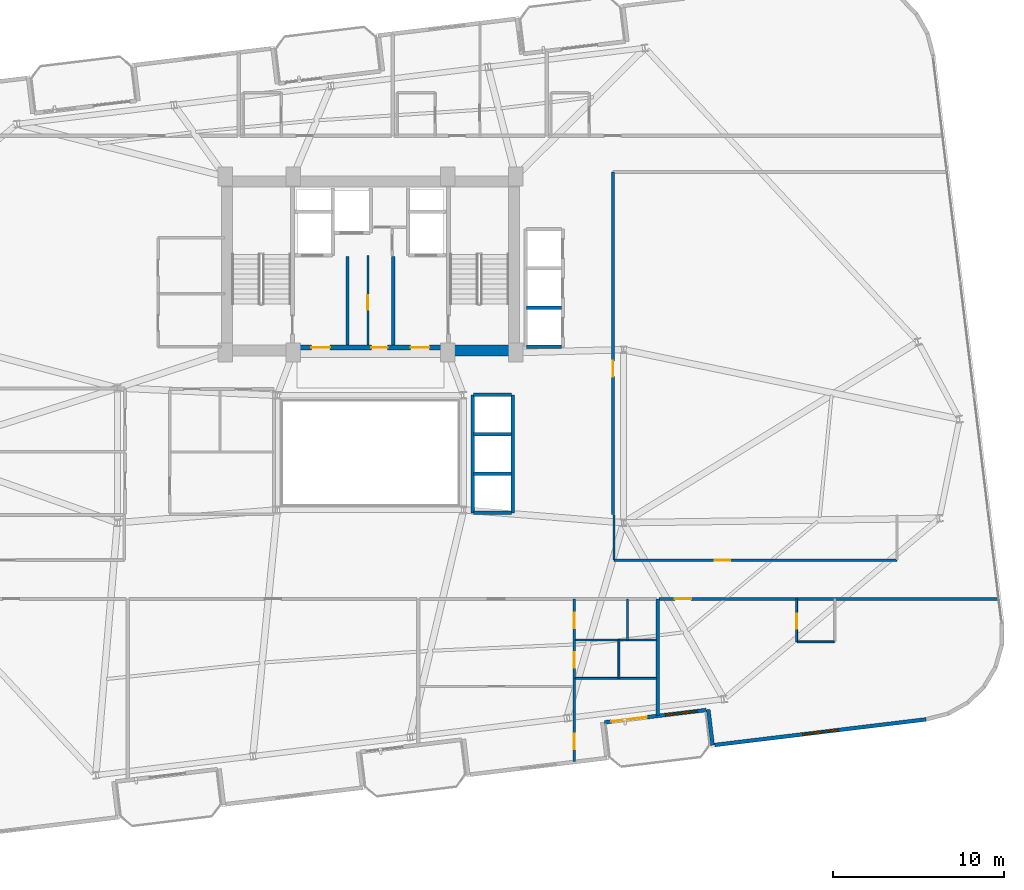
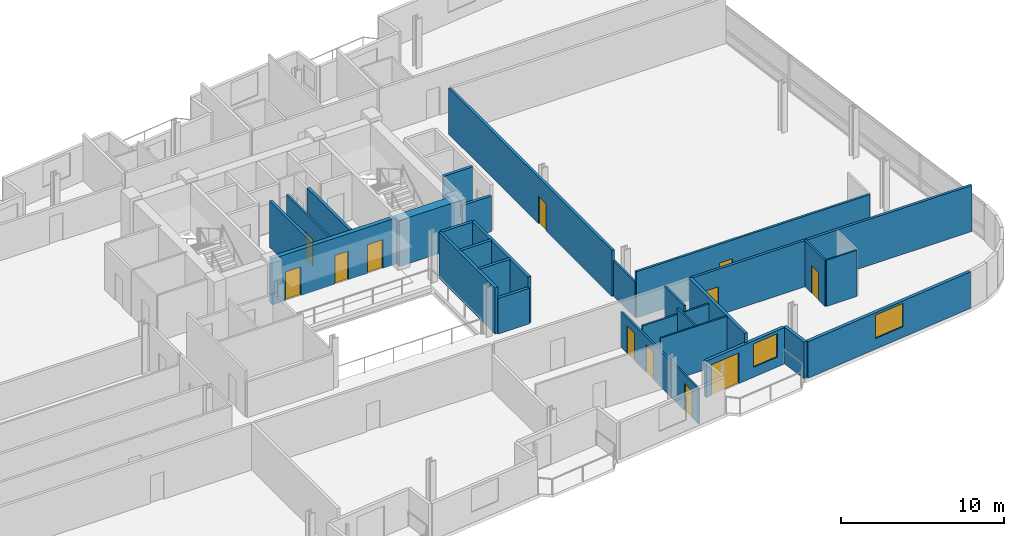
# One storey, part 15 of 22: 28 walls, 12 doors, 2 windows, 14 openings.
"""IFC4 building model written with IfcOpenShell, lengths in metres."""

from ifc_helpers import new_model, si_unit, direction, frame, frame_2d, origin, place, context, subcontext, project, spatial, rectangle, extrude, material, layer, layer_set, type_object, element, fill, save


model = new_model("IFC4")

# Units and contexts
model_context = context("Model", 3, precision=1e-05, world=origin(), true_north=direction((0.0, 1.0)))
body_context = subcontext(model_context, "Body", "Model", "MODEL_VIEW")
ifc_project = project(units=[si_unit("LENGTHUNIT", "METRE"), si_unit("AREAUNIT", "SQUARE_METRE"), si_unit("VOLUMEUNIT", "CUBIC_METRE"), si_unit("PLANEANGLEUNIT", "RADIAN"), si_unit("MASSUNIT", "GRAM", prefix="KILO")], contexts=[model_context])

# Site, building, storey
site_placement = place(None, origin())
site = spatial("IfcSite", under=ifc_project, at=site_placement, CompositionType="ELEMENT")
building_placement = place(site_placement, origin())
building = spatial("IfcBuilding", under=site, at=building_placement, Name="Varnelok Gate Tower", CompositionType="ELEMENT")
storey_placement = place(building_placement, frame((0.0, 0.0, 178.300048828125)))
storey = spatial("IfcBuildingStorey", under=building, at=storey_placement, Name="L45", CompositionType="ELEMENT", Elevation=178.300048828125)

# Wall, openings, door, window
ifc_material_1 = material(Name="Concrete C45/55", Category="concrete")
ifc_layer_1 = layer(ifc_material_1, 0.219970703125)
ifc_layer_set_1 = layer_set([ifc_layer_1], Name="Concrete C45/55")
wall_type_1 = type_object("IfcWallType", Name="EW-BALC-220", PredefinedType="SOLIDWALL", material=ifc_layer_set_1)
wall_1_placement = place(storey_placement, frame((58.843017578125, 7.84716796875, 0.0), z_axis=(0.0, 0.0, 1.0), x_axis=(-0.992729951822, -0.120362962556, 0.0)))
wall_1 = element("IfcWall", 1, at=wall_1_placement, inside=storey, type_object=wall_type_1, Name="L45 South Terrace Envelope Wall 3", PredefinedType="SOLIDWALL", context=body_context, shape_type="SweptSolid", body=[
    extrude(rectangle(XDim=6.0, YDim=0.219970703125, at=frame_2d((3.0, 0.0))), origin(), (0.0, 0.0, 1.0), 2.72998046875),
])
opening_1_placement = place(wall_1_placement, frame((3.5, 0.0, 0.0)))
opening_1 = element("IfcOpeningElement", 2, at=opening_1_placement, cuts=wall_1, Name="Opening BD-2", PredefinedType="OPENING", context=body_context, shape_type="SweptSolid", body=[
    extrude(rectangle(XDim=2.10009765625, YDim=2.300048828125, at=frame_2d((1.050048828125, 1.14990234375))), frame((0.0, 0.119873046875, 0.0), z_axis=(0.0, -1.0, 0.0), x_axis=(1.0, 0.0, 0.0)), (0.0, 0.0, 1.0), 0.239990234375),
])
opening_2_placement = place(wall_1_placement, frame((0.550048828125, 0.0, 0.75)))
opening_2 = element("IfcOpeningElement", 3, at=opening_2_placement, cuts=wall_1, Name="Opening WN5", PredefinedType="OPENING", context=body_context, shape_type="SweptSolid", body=[
    extrude(rectangle(XDim=1.85009765625, YDim=1.75, at=frame_2d((0.925048828125, 0.875))), frame((0.0, 0.119873046875, 0.0), z_axis=(0.0, -1.0, 0.0), x_axis=(1.0, 0.0, 0.0)), (0.0, 0.0, 1.0), 0.239990234375),
])
ifc_material_2 = material(Name="Anodized Aluminum Alloy 6063-T6", Category="aluminium")
door_type_1 = type_object("IfcDoorType", Name="DR-EXT-SLID2100", OperationType="SLIDING_TO_LEFT", PredefinedType="DOOR", material=ifc_material_2)
door_1_placement = place(opening_1_placement, origin())
door_1 = element("IfcDoor", 4, at=door_1_placement, inside=storey, type_object=door_type_1, Name="L45 South Balcony Glazed Door 3", OperationType="SLIDING_TO_LEFT", OverallHeight=2.300048828125, OverallWidth=2.10009765625, PredefinedType="DOOR", context=body_context, shape_type="SweptSolid", body=[
    extrude(rectangle(XDim=2.10009765625, YDim=2.300048828125, at=frame_2d((1.050048828125, 1.14990234375))), frame((0.0, 0.02490234375, 0.0), z_axis=(0.0, -1.0, 0.0), x_axis=(1.0, 0.0, 0.0)), (0.0, 0.0, 1.0), 0.050048828125),
])
fill(opening_1, door_1)
ifc_material_3 = material(Name="Low-E Laminated Double Glazing IGU", Category="glass")
window_type_1 = type_object("IfcWindowType", Name="WN-RES-1850", PartitioningType="SINGLE_PANEL", PredefinedType="WINDOW", material=ifc_material_3)
window_1_placement = place(opening_2_placement, origin())
window_1 = element("IfcWindow", 5, at=window_1_placement, inside=storey, type_object=window_type_1, Name="L45 South Vision Window 3.1", OverallHeight=1.75, OverallWidth=1.85009765625, PartitioningType="SINGLE_PANEL", PredefinedType="WINDOW", context=body_context, shape_type="SweptSolid", body=[
    extrude(rectangle(XDim=1.85009765625, YDim=1.75, at=frame_2d((0.925048828125, 0.875))), frame((0.0, 0.030029296875, 0.0), z_axis=(0.0, -1.0, 0.0), x_axis=(1.0, 0.0, 0.0)), (0.0, 0.0, 1.0), 0.06005859375),
])
fill(opening_2, window_1)

# Wall
wall_2_placement = place(storey_placement, frame((58.961181640625, 7.87158203125, 0.0), z_axis=(0.0, 0.0, 1.0), x_axis=(0.120327895535, -0.992734202874, 0.0)))
element("IfcWall", 6, at=wall_2_placement, inside=storey, type_object=wall_type_1, Name="L45 Perimeter Facade Closure Wall 15", PredefinedType="SOLIDWALL", context=body_context, shape_type="SweptSolid", body=[
    extrude(rectangle(XDim=2.099853515625, YDim=0.219970703125, at=frame_2d((1.0498046875, 0.0))), origin(), (0.0, 0.0, 1.0), 2.72998046875),
])

# Wall, opening, window
wall_3_placement = place(storey_placement, frame((59.337890625, 5.8017578125, 0.0), z_axis=(0.0, 0.0, 1.0), x_axis=(0.992731225757, 0.120352454927, 0.0)))
wall_3 = element("IfcWall", 7, at=wall_3_placement, inside=storey, type_object=wall_type_1, Name="L45 Perimeter Facade Closure Wall 16", PredefinedType="SOLIDWALL", context=body_context, shape_type="SweptSolid", body=[
    extrude(rectangle(XDim=12.447265625, YDim=0.219970703125, at=frame_2d((6.2236328125, 0.0))), origin(), (0.0, 0.0, 1.0), 2.72998046875),
])
opening_3_placement = place(wall_3_placement, frame((5.173583984375, 0.0, 0.800048828125)))
opening_3 = element("IfcOpeningElement", 8, at=opening_3_placement, cuts=wall_3, Name="Opening WN4", PredefinedType="OPENING", context=body_context, shape_type="SweptSolid", body=[
    extrude(rectangle(XDim=2.10009765625, YDim=1.75, at=frame_2d((1.050048828125, 0.875))), frame((0.0, 0.119873046875, 0.0), z_axis=(0.0, -1.0, 0.0), x_axis=(1.0, 0.0, 0.0)), (0.0, 0.0, 1.0), 0.239990234375),
])
window_type_2 = type_object("IfcWindowType", Name="WN-SUI-2100", PartitioningType="SINGLE_PANEL", PredefinedType="WINDOW", material=ifc_material_3)
window_2_placement = place(opening_3_placement, origin())
window_2 = element("IfcWindow", 9, at=window_2_placement, inside=storey, type_object=window_type_2, Name="L45 Perimeter Vision Window 16", OverallHeight=1.75, OverallWidth=2.10009765625, PartitioningType="SINGLE_PANEL", PredefinedType="WINDOW", context=body_context, shape_type="SweptSolid", body=[
    extrude(rectangle(XDim=2.10009765625, YDim=1.75, at=frame_2d((1.050048828125, 0.875))), frame((0.0, 0.030029296875, 0.0), z_axis=(0.0, -1.0, 0.0), x_axis=(1.0, 0.0, 0.0)), (0.0, 0.0, 1.0), 0.06005859375),
])
fill(opening_3, window_2)

# Wall, opening, door
ifc_material_4 = material(Name="Gypsum Plasterboard Acoustic Partition", Category="gypsum")
ifc_layer_2 = layer(ifc_material_4, 0.179931640625)
ifc_layer_set_2 = layer_set([ifc_layer_2], Name="Gypsum Plasterboard Acoustic Partition")
wall_type_2 = type_object("IfcWallType", Name="PW-CORR-180", PredefinedType="PARTITIONING", material=ifc_layer_set_2)
wall_4_placement = place(storey_placement, frame((56.080078125, 14.35009765625, 0.0), z_axis=(0.0, 0.0, 1.0), x_axis=(1.0, 0.0, 0.0)))
wall_4 = element("IfcWall", 10, at=wall_4_placement, inside=storey, type_object=wall_type_2, Name="Interior Partition", PredefinedType="PARTITIONING", context=body_context, shape_type="SweptSolid", body=[
    extrude(rectangle(XDim=19.82470703125, YDim=0.179931640625, at=frame_2d((9.912353515625, 0.0))), origin(), (0.0, 0.0, 1.0), 3.449951171875),
])
opening_4_placement = place(wall_4_placement, frame((0.923095703125, 0.0, 0.0)))
opening_4 = element("IfcOpeningElement", 11, at=opening_4_placement, cuts=wall_4, Name="Opening D-HT", PredefinedType="OPENING", context=body_context, shape_type="SweptSolid", body=[
    extrude(rectangle(XDim=0.949951171875, YDim=2.14990234375, at=frame_2d((0.47509765625, 1.074951171875))), frame((0.0, 0.099853515625, 0.0), z_axis=(0.0, -1.0, 0.0), x_axis=(1.0, 0.0, 0.0)), (0.0, 0.0, 1.0), 0.199951171875),
])
ifc_material_5 = material(Name="Engineered Hardwood Timber", Category="wood")
door_type_2 = type_object("IfcDoorType", Name="DR-HTL-950", OperationType="NOTDEFINED", PredefinedType="DOOR", material=ifc_material_5)
door_2_placement = place(opening_4_placement, origin())
door_2 = element("IfcDoor", 12, at=door_2_placement, inside=storey, type_object=door_type_2, Name="L45 Guest Room 04 Entrance Door", OperationType="SINGLE_SWING_LEFT", OverallHeight=2.14990234375, OverallWidth=0.949951171875, PredefinedType="DOOR", context=body_context, shape_type="SweptSolid", body=[
    extrude(rectangle(XDim=0.949951171875, YDim=2.14990234375, at=frame_2d((0.47509765625, 1.074951171875))), frame((0.0, 0.02490234375, 0.0), z_axis=(0.0, -1.0, 0.0), x_axis=(1.0, 0.0, 0.0)), (0.0, 0.0, 1.0), 0.050048828125),
])
fill(opening_4, door_2)

wall_5_placement = place(storey_placement, frame((53.389892578125, 19.280029296875, 0.0), z_axis=(0.0, 0.0, 1.0), x_axis=(0.0, 1.0, 0.0)))
wall_5 = element("IfcWall", 13, at=wall_5_placement, inside=storey, type_object=wall_type_2, Name="Interior Partition", PredefinedType="PARTITIONING", context=body_context, shape_type="SweptSolid", body=[
    extrude(rectangle(XDim=20.02001953125, YDim=0.179931640625, at=frame_2d((10.010009765625, 0.0))), origin(), (0.0, 0.0, 1.0), 3.449951171875),
])
opening_5_placement = place(wall_5_placement, frame((8.070068359375, 0.0, 0.0)))
opening_5 = element("IfcOpeningElement", 14, at=opening_5_placement, cuts=wall_5, Name="Opening D-I3", PredefinedType="OPENING", context=body_context, shape_type="SweptSolid", body=[
    extrude(rectangle(XDim=0.919921875, YDim=2.050048828125, at=frame_2d((0.4599609375, 1.02490234375))), frame((0.0, 0.099853515625, 0.0), z_axis=(0.0, -1.0, 0.0), x_axis=(1.0, 0.0, 0.0)), (0.0, 0.0, 1.0), 0.199951171875),
])
door_type_3 = type_object("IfcDoorType", Name="DR-INT-920", OperationType="NOTDEFINED", PredefinedType="DOOR", material=ifc_material_5)
door_3_placement = place(opening_5_placement, origin())
door_3 = element("IfcDoor", 15, at=door_3_placement, inside=storey, type_object=door_type_3, Name="L45 East Playroom Door", OperationType="SINGLE_SWING_LEFT", OverallHeight=2.050048828125, OverallWidth=0.919921875, PredefinedType="DOOR", context=body_context, shape_type="SweptSolid", body=[
    extrude(rectangle(XDim=0.919921875, YDim=2.050048828125, at=frame_2d((0.4599609375, 1.02490234375))), frame((0.0, 0.02490234375, 0.0), z_axis=(0.0, -1.0, 0.0), x_axis=(1.0, 0.0, 0.0)), (0.0, 0.0, 1.0), 0.050048828125),
])
fill(opening_5, door_3)

# Walls
ifc_layer_3 = layer(ifc_material_4, 0.114990234375)
ifc_layer_set_3 = layer_set([ifc_layer_3], Name="Gypsum Plasterboard Acoustic Partition")
wall_type_3 = type_object("IfcWallType", Name="PW-ENS-125", PredefinedType="PARTITIONING", material=ifc_layer_set_3)
wall_6_placement = place(storey_placement, frame((51.18994140625, 9.699951171875, 0.0), z_axis=(0.0, 0.0, 1.0), x_axis=(1.0, 0.0, 0.0)))
element("IfcWall", 16, at=wall_6_placement, inside=storey, type_object=wall_type_3, Name="Interior Partition", PredefinedType="PARTITIONING", context=body_context, shape_type="SweptSolid", body=[
    extrude(rectangle(XDim=4.72998046875, YDim=0.114990234375, at=frame_2d((2.364990234375, 0.0))), origin(), (0.0, 0.0, 1.0), 3.449951171875),
])
wall_7_placement = place(storey_placement, frame((53.72998046875, 9.699951171875, 0.0), z_axis=(0.0, 0.0, 1.0), x_axis=(0.0, 1.0, 0.0)))
element("IfcWall", 17, at=wall_7_placement, inside=storey, type_object=wall_type_3, Name="Interior Partition", PredefinedType="PARTITIONING", context=body_context, shape_type="SweptSolid", body=[
    extrude(rectangle(XDim=2.239990234375, YDim=0.114990234375, at=frame_2d((1.1201171875, 0.0))), origin(), (0.0, 0.0, 1.0), 3.449951171875),
])
wall_8_placement = place(storey_placement, frame((64.169921875, 11.830078125, 0.0), z_axis=(0.0, 0.0, 1.0), x_axis=(1.0, 0.0, 0.0)))
element("IfcWall", 18, at=wall_8_placement, inside=storey, type_object=wall_type_3, Name="Interior Partition", PredefinedType="PARTITIONING", context=body_context, shape_type="SweptSolid", body=[
    extrude(rectangle(XDim=2.150146484375, YDim=0.114990234375, at=frame_2d((1.0751953125, 0.0))), origin(), (0.0, 0.0, 1.0), 3.449951171875),
])

# Wall, opening, door
wall_9_placement = place(storey_placement, frame((64.1298828125, 11.830078125, 0.0), z_axis=(0.0, 0.0, 1.0), x_axis=(0.0, 1.0, 0.0)))
wall_9 = element("IfcWall", 19, at=wall_9_placement, inside=storey, type_object=wall_type_3, Name="Interior Partition", PredefinedType="PARTITIONING", context=body_context, shape_type="SweptSolid", body=[
    extrude(rectangle(XDim=2.52001953125, YDim=0.114990234375, at=frame_2d((1.260009765625, 0.0))), origin(), (0.0, 0.0, 1.0), 3.449951171875),
])
opening_6_placement = place(wall_9_placement, frame((0.760009765625, 0.0, 0.0)))
opening_6 = element("IfcOpeningElement", 20, at=opening_6_placement, cuts=wall_9, Name="Opening D-WC", PredefinedType="OPENING", context=body_context, shape_type="SweptSolid", body=[
    extrude(rectangle(XDim=0.89990234375, YDim=2.050048828125, at=frame_2d((0.449951171875, 1.02490234375))), frame((0.0, 0.0673828125, 0.0), z_axis=(0.0, -1.0, 0.0), x_axis=(1.0, 0.0, 0.0)), (0.0, 0.0, 1.0), 0.135009765625),
])
door_type_4 = type_object("IfcDoorType", Name="DR-BATH-900", OperationType="NOTDEFINED", PredefinedType="DOOR", material=ifc_material_5)
door_4_placement = place(opening_6_placement, origin())
door_4 = element("IfcDoor", 21, at=door_4_placement, inside=storey, type_object=door_type_4, Name="L45 Guest En-Suite 04 Door", OperationType="SINGLE_SWING_RIGHT", OverallHeight=2.050048828125, OverallWidth=0.89990234375, PredefinedType="DOOR", context=body_context, shape_type="SweptSolid", body=[
    extrude(rectangle(XDim=0.89990234375, YDim=2.050048828125, at=frame_2d((0.449951171875, 1.02490234375))), frame((0.0, 0.02490234375, 0.0), z_axis=(0.0, -1.0, 0.0), x_axis=(1.0, 0.0, 0.0)), (0.0, 0.0, 1.0), 0.050048828125),
])
fill(opening_6, door_4)

# Wall
ifc_layer_4 = layer(ifc_material_4, 0.125)
ifc_layer_set_4 = layer_set([ifc_layer_4], Name="Gypsum Plasterboard Acoustic Partition")
wall_type_4 = type_object("IfcWallType", Name="PW-PART-125", PredefinedType="PARTITIONING", material=ifc_layer_set_4)
wall_10_placement = place(storey_placement, frame((53.449951171875, 16.610107421875, 0.0), z_axis=(0.0, 0.0, 1.0), x_axis=(0.0, 1.0, 0.0)))
element("IfcWall", 22, at=wall_10_placement, inside=storey, type_object=wall_type_4, Name="Interior Partition", PredefinedType="PARTITIONING", context=body_context, shape_type="SweptSolid", body=[
    extrude(rectangle(XDim=2.6298828125, YDim=0.125, at=frame_2d((1.31494140625, 0.0))), origin(), (0.0, 0.0, 1.0), 2.661865234375),
])

# Wall, openings, doors
wall_11_placement = place(storey_placement, frame((51.1201171875, 4.82568359375, 0.0), z_axis=(0.0, 0.0, 1.0), x_axis=(0.0, 1.0, 0.0)))
wall_11 = element("IfcWall", 23, at=wall_11_placement, inside=storey, type_object=wall_type_4, Name="Interior Partition", PredefinedType="PARTITIONING", context=body_context, shape_type="SweptSolid", body=[
    extrude(rectangle(XDim=9.5244140625, YDim=0.125, at=frame_2d((4.76220703125, 0.0))), origin(), (0.0, 0.0, 1.0), 2.661865234375),
])
opening_7_placement = place(wall_11_placement, frame((0.724853515625, 0.0, 0.0)))
opening_7 = element("IfcOpeningElement", 24, at=opening_7_placement, cuts=wall_11, Name="Opening D-I3", PredefinedType="OPENING", context=body_context, shape_type="SweptSolid", body=[
    extrude(rectangle(XDim=0.919921875, YDim=2.050048828125, at=frame_2d((0.4599609375, 1.02490234375))), frame((0.0, 0.072509765625, 0.0), z_axis=(0.0, -1.0, 0.0), x_axis=(1.0, 0.0, 0.0)), (0.0, 0.0, 1.0), 0.14501953125),
])
opening_8_placement = place(wall_11_placement, frame((5.501708984375, 0.0, 0.0)))
opening_8 = element("IfcOpeningElement", 25, at=opening_8_placement, cuts=wall_11, Name="Opening D-WC", PredefinedType="OPENING", context=body_context, shape_type="SweptSolid", body=[
    extrude(rectangle(XDim=0.89990234375, YDim=2.050048828125, at=frame_2d((0.449951171875, 1.02490234375))), frame((0.0, 0.072509765625, 0.0), z_axis=(0.0, -1.0, 0.0), x_axis=(1.0, 0.0, 0.0)), (0.0, 0.0, 1.0), 0.14501953125),
])
opening_9_placement = place(wall_11_placement, frame((7.794189453125, 0.0, 0.0)))
opening_9 = element("IfcOpeningElement", 26, at=opening_9_placement, cuts=wall_11, Name="Opening D-I3", PredefinedType="OPENING", context=body_context, shape_type="SweptSolid", body=[
    extrude(rectangle(XDim=0.919921875, YDim=2.050048828125, at=frame_2d((0.4599609375, 1.02490234375))), frame((0.0, 0.072509765625, 0.0), z_axis=(0.0, -1.0, 0.0), x_axis=(1.0, 0.0, 0.0)), (0.0, 0.0, 1.0), 0.14501953125),
])
door_5_placement = place(opening_8_placement, origin())
door_5 = element("IfcDoor", 27, at=door_5_placement, inside=storey, type_object=door_type_4, Name="L45 Apartment 3 Bathroom Door", OperationType="SINGLE_SWING_LEFT", OverallHeight=2.050048828125, OverallWidth=0.89990234375, PredefinedType="DOOR", context=body_context, shape_type="SweptSolid", body=[
    extrude(rectangle(XDim=0.89990234375, YDim=2.050048828125, at=frame_2d((0.449951171875, 1.02490234375))), frame((0.0, 0.02490234375, 0.0), z_axis=(0.0, -1.0, 0.0), x_axis=(1.0, 0.0, 0.0)), (0.0, 0.0, 1.0), 0.050048828125),
])
fill(opening_8, door_5)
door_6_placement = place(opening_7_placement, origin())
door_6 = element("IfcDoor", 28, at=door_6_placement, inside=storey, type_object=door_type_3, Name="L45 Apartment 3 Bedroom Door", OperationType="SINGLE_SWING_RIGHT", OverallHeight=2.050048828125, OverallWidth=0.919921875, PredefinedType="DOOR", context=body_context, shape_type="SweptSolid", body=[
    extrude(rectangle(XDim=0.919921875, YDim=2.050048828125, at=frame_2d((0.4599609375, 1.02490234375))), frame((0.0, 0.02490234375, 0.0), z_axis=(0.0, -1.0, 0.0), x_axis=(1.0, 0.0, 0.0)), (0.0, 0.0, 1.0), 0.050048828125),
])
fill(opening_7, door_6)
door_7_placement = place(opening_9_placement, origin())
door_7 = element("IfcDoor", 29, at=door_7_placement, inside=storey, type_object=door_type_3, Name="L45 Apartment 3 Kitchen Door", OperationType="SINGLE_SWING_RIGHT", OverallHeight=2.050048828125, OverallWidth=0.919921875, PredefinedType="DOOR", context=body_context, shape_type="SweptSolid", body=[
    extrude(rectangle(XDim=0.919921875, YDim=2.050048828125, at=frame_2d((0.4599609375, 1.02490234375))), frame((0.0, 0.02490234375, 0.0), z_axis=(0.0, -1.0, 0.0), x_axis=(1.0, 0.0, 0.0)), (0.0, 0.0, 1.0), 0.050048828125),
])
fill(opening_9, door_7)

# Walls
wall_12_placement = place(storey_placement, frame((51.18994140625, 11.93994140625, 0.0), z_axis=(0.0, 0.0, 1.0), x_axis=(1.0, 0.0, 0.0)))
element("IfcWall", 30, at=wall_12_placement, inside=storey, type_object=wall_type_4, Name="Interior Partition", PredefinedType="PARTITIONING", context=body_context, shape_type="SweptSolid", body=[
    extrude(rectangle(XDim=4.72998046875, YDim=0.125, at=frame_2d((2.364990234375, 0.0))), origin(), (0.0, 0.0, 1.0), 3.01806640625),
])
wall_13_placement = place(storey_placement, frame((54.22998046875, 11.93994140625, 0.0), z_axis=(0.0, 0.0, 1.0), x_axis=(0.0, 1.0, 0.0)))
element("IfcWall", 31, at=wall_13_placement, inside=storey, type_object=wall_type_4, Name="Interior Partition", PredefinedType="PARTITIONING", context=body_context, shape_type="SweptSolid", body=[
    extrude(rectangle(XDim=2.41015625, YDim=0.125, at=frame_2d((1.205078125, 0.0))), origin(), (0.0, 0.0, 1.0), 3.449951171875),
])

# Wall, opening, door
wall_14_placement = place(storey_placement, frame((39.050048828125, 29.199951171875, 0.0), z_axis=(0.0, 0.0, 1.0), x_axis=(0.0, 1.0, 0.0)))
wall_14 = element("IfcWall", 32, at=wall_14_placement, inside=storey, type_object=wall_type_4, Name="Interior Partition", PredefinedType="PARTITIONING", context=body_context, shape_type="SweptSolid", body=[
    extrude(rectangle(XDim=5.219970703125, YDim=0.125, at=frame_2d((2.60986328125, 0.0))), origin(), (0.0, 0.0, 1.0), 3.449951171875),
])
opening_10_placement = place(wall_14_placement, frame((2.050048828125, 0.0, 0.0)))
opening_10 = element("IfcOpeningElement", 33, at=opening_10_placement, cuts=wall_14, Name="Opening D-RS", PredefinedType="OPENING", context=body_context, shape_type="SweptSolid", body=[
    extrude(rectangle(XDim=0.85009765625, YDim=2.050048828125, at=frame_2d((0.425048828125, 1.02490234375))), frame((0.0, 0.072509765625, 0.0), z_axis=(0.0, -1.0, 0.0), x_axis=(1.0, 0.0, 0.0)), (0.0, 0.0, 1.0), 0.14501953125),
])
ifc_material_6 = material(Name="Galvanized Steel Grade S350GD", Category="steel")
door_type_5 = type_object("IfcDoorType", Name="DR-RISER-850", OperationType="NOTDEFINED", PredefinedType="DOOR", material=ifc_material_6)
door_8_placement = place(opening_10_placement, origin())
door_8 = element("IfcDoor", 34, at=door_8_placement, inside=storey, type_object=door_type_5, Name="L45 Housekeeping Linen Door", OperationType="SINGLE_SWING_LEFT", OverallHeight=2.050048828125, OverallWidth=0.85009765625, PredefinedType="DOOR", context=body_context, shape_type="SweptSolid", body=[
    extrude(rectangle(XDim=0.85009765625, YDim=2.050048828125, at=frame_2d((0.425048828125, 1.02490234375))), frame((0.0, 0.02490234375, 0.0), z_axis=(0.0, -1.0, 0.0), x_axis=(1.0, 0.0, 0.0)), (0.0, 0.0, 1.0), 0.050048828125),
])
fill(opening_10, door_8)

ifc_layer_5 = layer(ifc_material_4, 0.14990234375)
ifc_layer_set_5 = layer_set([ifc_layer_5], Name="Gypsum Plasterboard Acoustic Partition")
wall_type_5 = type_object("IfcWallType", Name="PW-PART-150", PredefinedType="PARTITIONING", material=ifc_layer_set_5)
wall_15_placement = place(storey_placement, frame((53.449951171875, 16.610107421875, 0.0), z_axis=(0.0, 0.0, 1.0), x_axis=(1.0, 0.0, 0.0)))
wall_15 = element("IfcWall", 35, at=wall_15_placement, inside=storey, type_object=wall_type_5, Name="Interior Partition", PredefinedType="PARTITIONING", context=body_context, shape_type="SweptSolid", body=[
    extrude(rectangle(XDim=16.550048828125, YDim=0.14990234375, at=frame_2d((8.27490234375, 0.0))), origin(), (0.0, 0.0, 1.0), 3.449951171875),
])
opening_11_placement = place(wall_15_placement, frame((5.87255859375, 0.0, 0.0)))
opening_11 = element("IfcOpeningElement", 36, at=opening_11_placement, cuts=wall_15, Name="Opening D-I3", PredefinedType="OPENING", context=body_context, shape_type="SweptSolid", body=[
    extrude(rectangle(XDim=0.919921875, YDim=2.050048828125, at=frame_2d((0.4599609375, 1.02490234375))), frame((0.0, 0.0849609375, 0.0), z_axis=(0.0, -1.0, 0.0), x_axis=(1.0, 0.0, 0.0)), (0.0, 0.0, 1.0), 0.169921875),
])
door_9_placement = place(opening_11_placement, origin())
door_9 = element("IfcDoor", 37, at=door_9_placement, inside=storey, type_object=door_type_3, Name="L45 Atrium Room 2 Door", OperationType="SINGLE_SWING_LEFT", OverallHeight=2.050048828125, OverallWidth=0.919921875, PredefinedType="DOOR", context=body_context, shape_type="SweptSolid", body=[
    extrude(rectangle(XDim=0.919921875, YDim=2.050048828125, at=frame_2d((0.4599609375, 1.02490234375))), frame((0.0, 0.02490234375, 0.0), z_axis=(0.0, -1.0, 0.0), x_axis=(1.0, 0.0, 0.0)), (0.0, 0.0, 1.0), 0.050048828125),
])
fill(opening_11, door_9)

# Walls
ifc_layer_6 = layer(ifc_material_4, 0.205078125)
ifc_layer_set_6 = layer_set([ifc_layer_6], Name="Gypsum Plasterboard Acoustic Partition")
wall_type_6 = type_object("IfcWallType", Name="PW-PARTY-200", PredefinedType="PARTITIONING", material=ifc_layer_set_6)
wall_16_placement = place(storey_placement, frame((56.0, 7.53271484375, 0.0), z_axis=(0.0, 0.0, 1.0), x_axis=(0.0, 1.0, 0.0)))
element("IfcWall", 38, at=wall_16_placement, inside=storey, type_object=wall_type_6, Name="L45 South Party Wall 3", PredefinedType="PARTITIONING", context=body_context, shape_type="SweptSolid", body=[
    extrude(rectangle(XDim=6.8173828125, YDim=0.205078125, at=frame_2d((3.40869140625, 0.0))), origin(), (0.0, 0.0, 1.0), 3.449951171875),
])
ifc_material_7 = material(Name="Concrete C35/45", Category="concrete")
ifc_layer_7 = layer(ifc_material_7, 0.199951171875)
ifc_layer_set_7 = layer_set([ifc_layer_7], Name="Concrete C35/45")
wall_type_7 = type_object("IfcWallType", Name="PW-SHAFT-200", PredefinedType="PARTITIONING", material=ifc_layer_set_7)
for number, where, z_axis, x_axis, name in (
    (39, (37.860107421875, 29.199951171875, 0.0), (0.0, 0.0, 1.0), (0.0, 1.0, 0.0), "L45 West FF Lobby Rated Wall"),
    (40, (40.5400390625, 29.199951171875, 0.0), (0.0, 0.0, 1.0), (0.0, 1.0, 0.0), "L45 East FF Lobby Rated Wall"),
):
    element("IfcWall", number, at=place(storey_placement, frame(where, z_axis=z_axis, x_axis=x_axis)), inside=storey, type_object=wall_type_7, Name=name, PredefinedType="PARTITIONING", context=body_context, shape_type="SweptSolid", body=[
        extrude(rectangle(XDim=5.179931640625, YDim=0.199951171875, at=frame_2d((2.58984375, 0.0))), origin(), (0.0, 0.0, 1.0), 3.449951171875),
    ])
wall_17_placement = place(storey_placement, frame((48.320068359375, 31.375, 0.0), z_axis=(0.0, 0.0, 1.0), x_axis=(1.0, 0.0, 0.0)))
element("IfcWall", 41, at=wall_17_placement, inside=storey, type_object=wall_type_7, Name="L45 PM1 Divider", PredefinedType="PARTITIONING", context=body_context, shape_type="SweptSolid", body=[
    extrude(rectangle(XDim=2.059814453125, YDim=0.199951171875, at=frame_2d((1.02978515625, 0.0))), origin(), (0.0, 0.0, 1.0), 3.449951171875),
])
wall_18_placement = place(storey_placement, frame((48.320068359375, 29.080078125, 0.0), z_axis=(0.0, 0.0, 1.0), x_axis=(1.0, 0.0, 0.0)))
element("IfcWall", 42, at=wall_18_placement, inside=storey, type_object=wall_type_7, Name="L45 PM Bank South Wall", PredefinedType="PARTITIONING", context=body_context, shape_type="SweptSolid", body=[
    extrude(rectangle(XDim=2.059814453125, YDim=0.199951171875, at=frame_2d((1.02978515625, 0.0))), origin(), (0.0, 0.0, 1.0), 2.661865234375),
])
for number, where, z_axis, x_axis, name in (
    (43, (45.239990234375, 21.675048828125, 0.0), (0.0, 0.0, 1.0), (1.0, 0.0, 0.0), "L45 PH1 Divider"),
    (44, (45.239990234375, 23.97509765625, 0.0), (0.0, 0.0, 1.0), (1.0, 0.0, 0.0), "L45 PH2 Divider"),
):
    element("IfcWall", number, at=place(storey_placement, frame(where, z_axis=z_axis, x_axis=x_axis)), inside=storey, type_object=wall_type_7, Name=name, PredefinedType="PARTITIONING", context=body_context, shape_type="SweptSolid", body=[
        extrude(rectangle(XDim=2.219970703125, YDim=0.199951171875, at=frame_2d((1.10986328125, 0.0))), origin(), (0.0, 0.0, 1.0), 3.449951171875),
    ])
wall_19_placement = place(storey_placement, frame((45.239990234375, 19.3798828125, 0.0), z_axis=(0.0, 0.0, 1.0), x_axis=(1.0, 0.0, 0.0)))
element("IfcWall", 45, at=wall_19_placement, inside=storey, type_object=wall_type_7, Name="L45 PH Bank South Wall", PredefinedType="PARTITIONING", context=body_context, shape_type="SweptSolid", body=[
    extrude(rectangle(XDim=2.219970703125, YDim=0.199951171875, at=frame_2d((1.10986328125, 0.0))), origin(), (0.0, 0.0, 1.0), 2.661865234375),
])
wall_20_placement = place(storey_placement, frame((45.239990234375, 26.280029296875, 0.0), z_axis=(0.0, 0.0, 1.0), x_axis=(1.0, 0.0, 0.0)))
element("IfcWall", 46, at=wall_20_placement, inside=storey, type_object=wall_type_7, Name="L45 PH Bank North Wall", PredefinedType="PARTITIONING", context=body_context, shape_type="SweptSolid", body=[
    extrude(rectangle(XDim=2.219970703125, YDim=0.199951171875, at=frame_2d((1.10986328125, 0.0))), origin(), (0.0, 0.0, 1.0), 3.449951171875),
])
for number, where, z_axis, x_axis, name in (
    (47, (45.179931640625, 19.3798828125, 0.0), (0.0, 0.0, 1.0), (0.0, 1.0, 0.0), "L45 PH Bank Atrium Wall"),
    (48, (47.52001953125, 19.3798828125, 0.0), (0.0, 0.0, 1.0), (0.0, 1.0, 0.0), "L45 PH Bank Front Wall"),
):
    element("IfcWall", number, at=place(storey_placement, frame(where, z_axis=z_axis, x_axis=x_axis)), inside=storey, type_object=wall_type_7, Name=name, PredefinedType="PARTITIONING", context=body_context, shape_type="SweptSolid", body=[
        extrude(rectangle(XDim=6.900146484375, YDim=0.199951171875, at=frame_2d((3.4501953125, 0.0))), origin(), (0.0, 0.0, 1.0), 3.449951171875),
    ])
ifc_material_8 = material(Name="Concrete C60/75", Category="concrete")
ifc_layer_8 = layer(ifc_material_8, 0.64990234375)
ifc_layer_set_8 = layer_set([ifc_layer_8], Name="Concrete C60/75")
wall_type_8 = type_object("IfcWallType", Name="SW-CORE-650", PredefinedType="SHEAR", material=ifc_layer_set_8)
wall_21_placement = place(storey_placement, frame((43.60009765625, 28.875, 0.0), z_axis=(0.0, 0.0, 1.0), x_axis=(1.0, 0.0, 0.0)))
element("IfcWall", 49, at=wall_21_placement, inside=storey, type_object=wall_type_8, Name="L45 Rear Core South-East Shear Wall", PredefinedType="SHEAR", context=body_context, shape_type="SweptSolid", body=[
    extrude(rectangle(XDim=4.31982421875, YDim=0.64990234375, at=frame_2d((2.159912109375, 0.0))), origin(), (0.0, 0.0, 1.0), 3.449951171875),
])

# Wall, openings, doors
ifc_layer_9 = layer(ifc_material_8, 0.300048828125)
ifc_layer_set_9 = layer_set([ifc_layer_9], Name="Concrete C60/75")
wall_type_9 = type_object("IfcWallType", Name="SW-SHAFT-300", PredefinedType="SHEAR", material=ifc_layer_set_9)
wall_22_placement = place(storey_placement, frame((34.800048828125, 29.050048828125, 0.0), z_axis=(0.0, 0.0, 1.0), x_axis=(1.0, 0.0, 0.0)))
wall_22 = element("IfcWall", 50, at=wall_22_placement, inside=storey, type_object=wall_type_9, Name="L45 Rear Core Central Lobby Shear Wall", PredefinedType="SHEAR", context=body_context, shape_type="SweptSolid", body=[
    extrude(rectangle(XDim=8.800048828125, YDim=0.300048828125, at=frame_2d((4.39990234375, 0.0))), origin(), (0.0, 0.0, 1.0), 3.449951171875),
])
opening_12_placement = place(wall_22_placement, frame((0.949951171875, 0.0, 0.0)))
opening_12 = element("IfcOpeningElement", 51, at=opening_12_placement, cuts=wall_22, Name="Opening D-FF", PredefinedType="OPENING", context=body_context, shape_type="SweptSolid", body=[
    extrude(rectangle(XDim=1.10009765625, YDim=2.14990234375, at=frame_2d((0.550048828125, 1.074951171875))), frame((0.0, 0.159912109375, 0.0), z_axis=(0.0, -1.0, 0.0), x_axis=(1.0, 0.0, 0.0)), (0.0, 0.0, 1.0), 0.320068359375),
])
opening_13_placement = place(wall_22_placement, frame((6.75, 0.0, 0.0)))
opening_13 = element("IfcOpeningElement", 52, at=opening_13_placement, cuts=wall_22, Name="Opening D-FF", PredefinedType="OPENING", context=body_context, shape_type="SweptSolid", body=[
    extrude(rectangle(XDim=1.10009765625, YDim=2.14990234375, at=frame_2d((0.550048828125, 1.074951171875))), frame((0.0, 0.159912109375, 0.0), z_axis=(0.0, -1.0, 0.0), x_axis=(1.0, 0.0, 0.0)), (0.0, 0.0, 1.0), 0.320068359375),
])
opening_14_placement = place(wall_22_placement, frame((4.449951171875, 0.0, 0.0)))
opening_14 = element("IfcOpeningElement", 53, at=opening_14_placement, cuts=wall_22, Name="Opening D-CR", PredefinedType="OPENING", context=body_context, shape_type="SweptSolid", body=[
    extrude(rectangle(XDim=0.949951171875, YDim=2.14990234375, at=frame_2d((0.47509765625, 1.074951171875))), frame((0.0, 0.159912109375, 0.0), z_axis=(0.0, -1.0, 0.0), x_axis=(1.0, 0.0, 0.0)), (0.0, 0.0, 1.0), 0.320068359375),
])
door_type_6 = type_object("IfcDoorType", Name="DR-CORR-950", OperationType="NOTDEFINED", PredefinedType="DOOR", material=ifc_material_6)
door_10_placement = place(opening_14_placement, origin())
door_10 = element("IfcDoor", 54, at=door_10_placement, inside=storey, type_object=door_type_6, Name="L45 Core Service Passage Door", OperationType="SINGLE_SWING_LEFT", OverallHeight=2.14990234375, OverallWidth=0.949951171875, PredefinedType="DOOR", context=body_context, shape_type="SweptSolid", body=[
    extrude(rectangle(XDim=0.949951171875, YDim=2.14990234375, at=frame_2d((0.47509765625, 1.074951171875))), frame((0.0, 0.02490234375, 0.0), z_axis=(0.0, -1.0, 0.0), x_axis=(1.0, 0.0, 0.0)), (0.0, 0.0, 1.0), 0.050048828125),
])
fill(opening_14, door_10)
door_type_7 = type_object("IfcDoorType", Name="DR-FFLOB-1100", OperationType="NOTDEFINED", PredefinedType="DOOR", material=ifc_material_6)
door_11_placement = place(opening_12_placement, origin())
door_11 = element("IfcDoor", 55, at=door_11_placement, inside=storey, type_object=door_type_7, Name="L45 West Firefighting Lobby Fire Door", OperationType="SINGLE_SWING_RIGHT", OverallHeight=2.14990234375, OverallWidth=1.10009765625, PredefinedType="DOOR", context=body_context, shape_type="SweptSolid", body=[
    extrude(rectangle(XDim=1.10009765625, YDim=2.14990234375, at=frame_2d((0.550048828125, 1.074951171875))), frame((0.0, 0.02490234375, 0.0), z_axis=(0.0, -1.0, 0.0), x_axis=(1.0, 0.0, 0.0)), (0.0, 0.0, 1.0), 0.050048828125),
])
fill(opening_12, door_11)
door_12_placement = place(opening_13_placement, origin())
door_12 = element("IfcDoor", 56, at=door_12_placement, inside=storey, type_object=door_type_7, Name="L45 East Firefighting Lobby Fire Door", OperationType="SINGLE_SWING_LEFT", OverallHeight=2.14990234375, OverallWidth=1.10009765625, PredefinedType="DOOR", context=body_context, shape_type="SweptSolid", body=[
    extrude(rectangle(XDim=1.10009765625, YDim=2.14990234375, at=frame_2d((0.550048828125, 1.074951171875))), frame((0.0, 0.02490234375, 0.0), z_axis=(0.0, -1.0, 0.0), x_axis=(1.0, 0.0, 0.0)), (0.0, 0.0, 1.0), 0.050048828125),
])
fill(opening_13, door_12)

save(model, "model.ifc")
